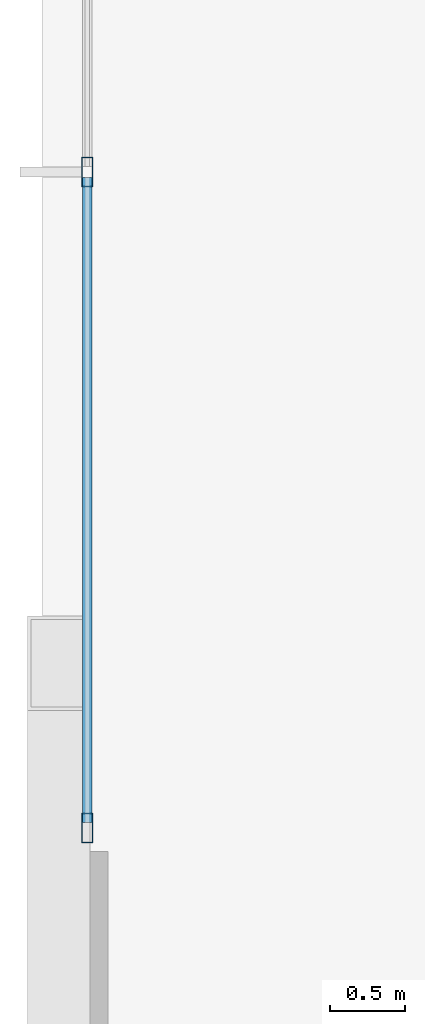
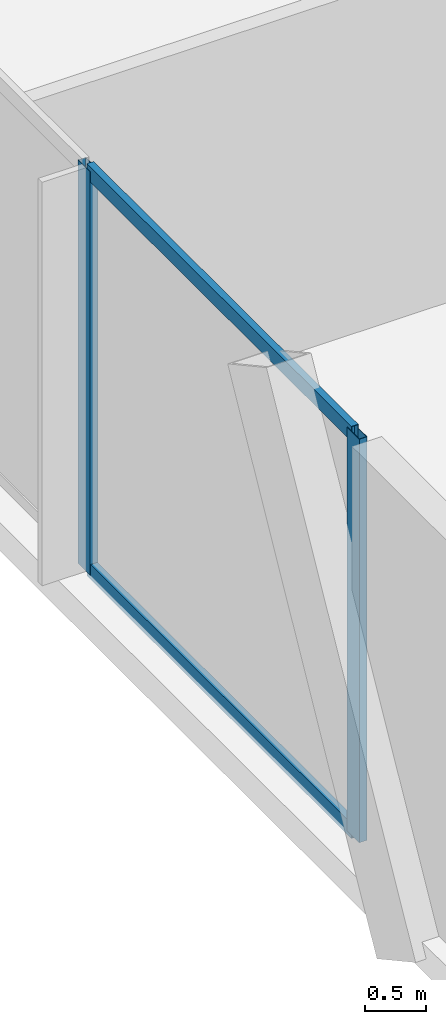
# One storey, part 10 of 42: 4 members, 1 element without a shape of its own.
"""IFC4 building model written with IfcOpenShell, lengths in metres."""

from ifc_helpers import new_model, si_unit, direction, frame, origin, origin_2d, place, context, subcontext, project, spatial, hollow_rectangle, extrude, material, layer, layer_set, material_profile, profile_set, type_object, element, aggregate, save


model = new_model("IFC4")

# Units and contexts
model_context = context("Model", 3, precision=1e-05, world=origin(), true_north=direction((0.0, 1.0)))
body_context = subcontext(model_context, "Body", "Model", "MODEL_VIEW")
ifc_project = project(units=[si_unit("LENGTHUNIT", "METRE"), si_unit("AREAUNIT", "SQUARE_METRE"), si_unit("VOLUMEUNIT", "CUBIC_METRE"), si_unit("PLANEANGLEUNIT", "RADIAN"), si_unit("MASSUNIT", "GRAM", prefix="KILO")], contexts=[model_context])

# Site, building, storey
site_placement = place(None, origin())
site = spatial("IfcSite", under=ifc_project, at=site_placement, CompositionType="ELEMENT")
building_placement = place(site_placement, origin())
building = spatial("IfcBuilding", under=site, at=building_placement, Name="Orvanel Arch Residences", CompositionType="ELEMENT")
storey_placement = place(building_placement, frame((0.0, 0.0, 5.5)))
storey = spatial("IfcBuildingStorey", under=building, at=storey_placement, Name="L01", CompositionType="ELEMENT", Elevation=5.5)

# Curtain wall, members
ifc_material = material(Name="Bronze-anodised aluminium AA6063-T6", Category="aluminium")
ifc_layer = layer(ifc_material, 0.199951171875)
ifc_layer_set = layer_set([ifc_layer], Name="Bronze-anodised aluminium AA6063-T6")
curtain_wall_type = type_object("IfcCurtainWallType", Name="CW1-POD-SYS", PredefinedType="NOTDEFINED", material=ifc_layer_set)
curtain_wall_placement = place(storey_placement, origin())
curtain_wall = element("IfcCurtainWall", 1, at=curtain_wall_placement, inside=storey, type_object=curtain_wall_type, Name="L01 CW1-POD-SYS Unitised Curtain Wall", PredefinedType="NOTDEFINED")
ifc_material_profile_1 = material_profile(ifc_material, hollow_rectangle(XDim=0.074951171875, YDim=0.199951171875, WallThickness=0.0048828125, at=origin_2d()), Name="ALU200x75x5")
ifc_profile_set_1 = profile_set([ifc_material_profile_1], Name="Bronze-anodised aluminium AA6063-T6")
member_type_1 = type_object("IfcMemberType", Name="MUL-200x75", PredefinedType="MULLION", material=ifc_profile_set_1)
member_1_placement = place(storey_placement, frame((1.550048828125, 23.070068359375, 0.0), z_axis=(0.0, 0.0, 1.0), x_axis=(1.0, 0.0, 0.0)))
member_1 = element("IfcMember", 2, at=member_1_placement, type_object=member_type_1, Name="CW-S1 mullion 4", PredefinedType="MULLION", context=body_context, shape_type="SweptSolid", body=[
    extrude(hollow_rectangle(XDim=0.074951171875, YDim=0.199951171875, WallThickness=0.0048828125, at=origin_2d()), origin(), (0.0, 0.0, 1.0), 4.02001953125),
])
member_2_placement = place(storey_placement, frame((1.550048828125, 18.677490234375, 0.0), z_axis=(0.0, 0.0, 1.0), x_axis=(1.0, 0.0, 0.0)))
member_2 = element("IfcMember", 3, at=member_2_placement, type_object=member_type_1, Name="CW-S1 mullion 5", PredefinedType="MULLION", context=body_context, shape_type="SweptSolid", body=[
    extrude(hollow_rectangle(XDim=0.074951171875, YDim=0.199951171875, WallThickness=0.0048828125, at=origin_2d()), origin(), (0.0, 0.0, 1.0), 4.02001953125),
])
ifc_material_profile_2 = material_profile(ifc_material, hollow_rectangle(XDim=0.06494140625, YDim=0.14990234375, WallThickness=0.00390625, at=origin_2d()), Name="ALU150x65x4")
ifc_profile_set_2 = profile_set([ifc_material_profile_2], Name="Bronze-anodised aluminium AA6063-T6")
member_type_2 = type_object("IfcMemberType", Name="TRN-150x65", PredefinedType="USERDEFINED", material=ifc_profile_set_2)
member_3_placement = place(storey_placement, frame((1.550048828125, 23.032470703125, 0.032470703125), z_axis=(0.0, -1.0, 0.0), x_axis=(1.0, 0.0, 0.0)))
member_3 = element("IfcMember", 4, at=member_3_placement, type_object=member_type_2, Name="CW-S1 transom 4.1", ObjectType="TRANSOM", PredefinedType="USERDEFINED", context=body_context, shape_type="SweptSolid", body=[
    extrude(hollow_rectangle(XDim=0.06494140625, YDim=0.14990234375, WallThickness=0.00390625, at=origin_2d()), origin(), (0.0, 0.0, 1.0), 4.3173828125),
])
member_4_placement = place(storey_placement, frame((1.550048828125, 23.032470703125, 3.987548828125), z_axis=(0.0, -1.0, 0.0), x_axis=(1.0, 0.0, 0.0)))
member_4 = element("IfcMember", 5, at=member_4_placement, type_object=member_type_2, Name="CW-S1 transom 4.2", ObjectType="TRANSOM", PredefinedType="USERDEFINED", context=body_context, shape_type="SweptSolid", body=[
    extrude(hollow_rectangle(XDim=0.06494140625, YDim=0.14990234375, WallThickness=0.00390625, at=origin_2d()), origin(), (0.0, 0.0, 1.0), 4.3173828125),
])
aggregate(curtain_wall, [member_1, member_2, member_3, member_4])

save(model, "model.ifc")
